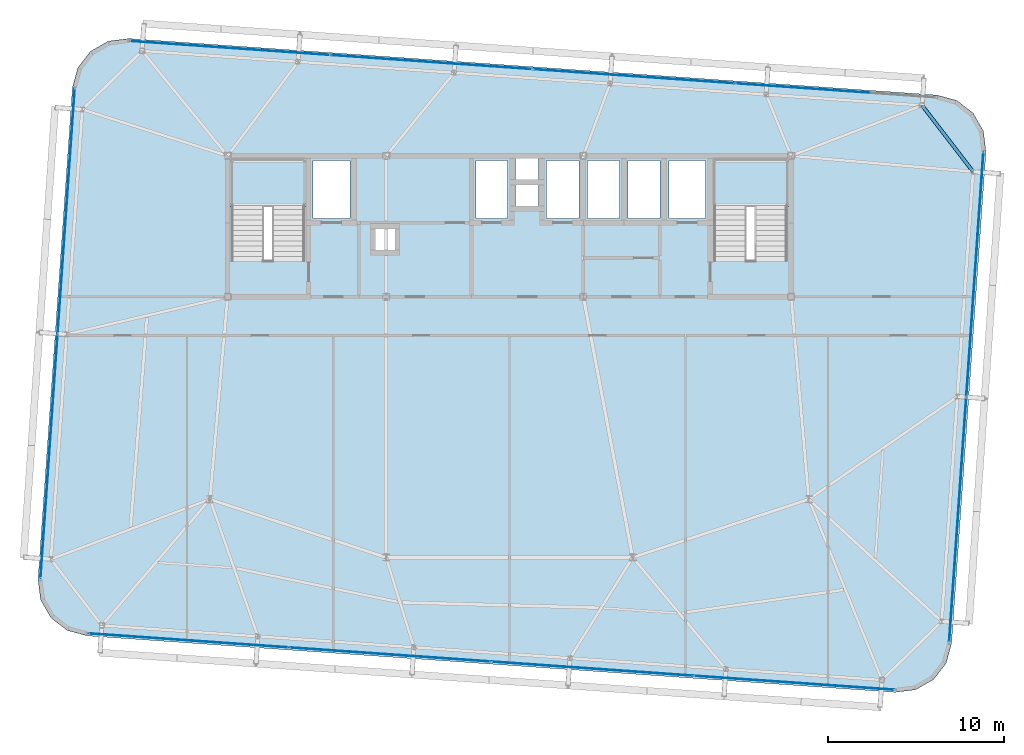
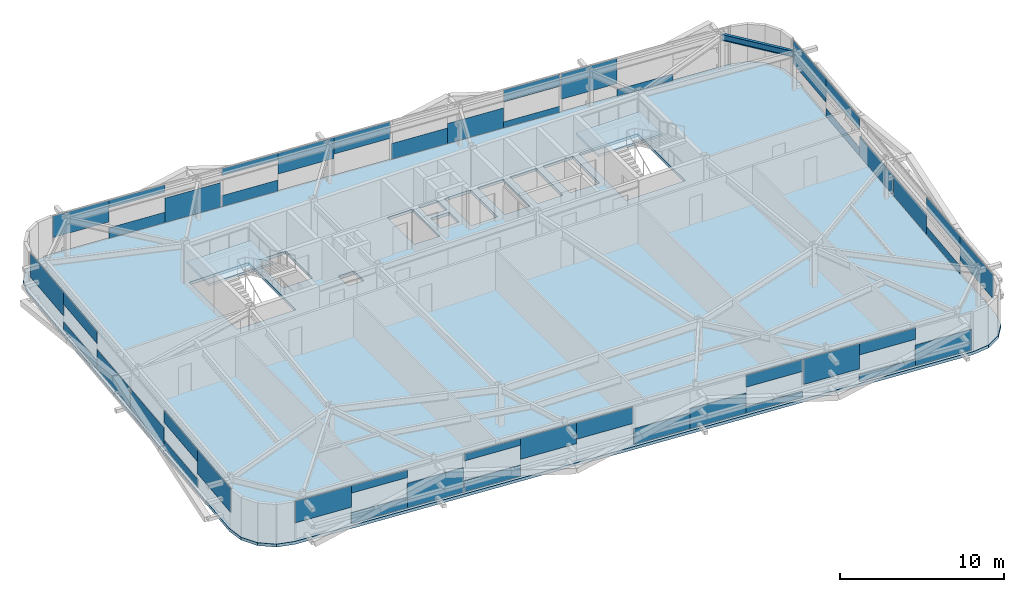
# One storey, part 25 of 39: 46 plates, 3 slabs, 1 beam, 6 elements without a shape of their own.
"""IFC4 building model written with IfcOpenShell, lengths in metres."""

from ifc_helpers import new_model, si_unit, direction, frame, origin, origin_2d, place, context, subcontext, project, spatial, polyline, rectangle, i_section, outline, extrude, source, transform, mapped, material, layer, layer_set, material_profile, profile_set, type_object, element, aggregate, save


model = new_model("IFC4")

# Units and contexts
model_context = context("Model", 3, precision=1e-05, world=origin(), true_north=direction((0.0, 1.0)))
body_context = subcontext(model_context, "Body", "Model", "MODEL_VIEW")
ifc_project = project(units=[si_unit("LENGTHUNIT", "METRE"), si_unit("AREAUNIT", "SQUARE_METRE"), si_unit("VOLUMEUNIT", "CUBIC_METRE"), si_unit("PLANEANGLEUNIT", "RADIAN"), si_unit("MASSUNIT", "GRAM", prefix="KILO")], contexts=[model_context])

# Site, building, storey
site_placement = place(None, origin())
site = spatial("IfcSite", under=ifc_project, at=site_placement, CompositionType="ELEMENT")
building_placement = place(site_placement, origin())
building = spatial("IfcBuilding", under=site, at=building_placement, Name="Taldren Reach Tower", CompositionType="ELEMENT")
storey_placement = place(building_placement, frame((0.0, 0.0, 145.60009765625)))
storey = spatial("IfcBuildingStorey", under=building, at=storey_placement, Name="L44", CompositionType="ELEMENT", Elevation=145.60009765625)

# Beam
ifc_material_1 = material(Name="Steel Gr 350 (350PLUS)", Category="steel")
ifc_material_profile = material_profile(ifc_material_1, i_section(OverallWidth=0.18994140625, OverallDepth=0.4541015625, WebThickness=0.008544921875, FlangeThickness=0.0126953125, at=origin_2d()), Name="460UB67.1")
ifc_profile_set = profile_set([ifc_material_profile], Name="Steel Gr 350 (350PLUS)")
beam_type = type_object("IfcBeamType", Name="SP-UB460B", PredefinedType="SPANDREL", material=ifc_profile_set)
shared_shape_1 = source(origin(), body_context, "Body", "SweptSolid", [
    extrude(i_section(OverallWidth=0.18994140625, OverallDepth=0.4541015625, WebThickness=0.008544921875, FlangeThickness=0.0126953125, at=origin_2d()), origin(), (0.0, 0.0, 1.0), 4.745849609375),
])
beam_placement = place(storey_placement, frame((61.3310546875, 31.1005859375, 2.702880859375), z_axis=(-0.609904656723, 0.792474800677, 0.0), x_axis=(-0.792474800677, -0.609904656723, 0.0)))
element("IfcBeam", 1, at=beam_placement, inside=storey, type_object=beam_type, Name="Perimeter spandrel B3 E3-N6 L44", PredefinedType="SPANDREL", context=body_context, shape_type="MappedRepresentation", body=[
    mapped(shared_shape_1, transform((0.0, 0.0, 0.0), scale=1.0)),
])

# Slab
ifc_material_2 = material(Name="Concrete N40 (40 MPa)", Category="concrete")
ifc_layer_1 = layer(ifc_material_2, 0.219970703125)
ifc_layer_set_1 = layer_set([ifc_layer_1], Name="Concrete N40 (40 MPa)")
slab_type_1 = type_object("IfcSlabType", Name="SL-FLR-220", PredefinedType="FLOOR", material=ifc_layer_set_1)
slab_1_placement = place(storey_placement, frame((0.0, 0.0, -0.22021484375)))
element("IfcSlab", 2, at=slab_1_placement, inside=storey, type_object=slab_type_1, Name="Suspended floor slab L44", PredefinedType="FLOOR", context=body_context, shape_type="SweptSolid", body=[
    extrude(outline(polyline([(56.908203125, 1.537109375), (58.0693359375, 1.684814453125), (59.08544921875, 2.265625), (59.80224609375, 3.191162109375), (60.110107421875, 4.320556640625), (62.063232421875, 32.252197265625), (61.91552734375, 33.413330078125), (61.334716796875, 34.4296875), (60.4091796875, 35.146240234375), (59.27978515625, 35.4541015625), (13.391845703125, 38.6630859375), (12.230712890625, 38.515380859375), (11.21435546875, 37.934326171875), (10.497802734375, 37.0087890625), (10.18994140625, 35.879638671875), (8.23681640625, 7.94775390625), (8.384521484375, 6.78662109375), (8.96533203125, 5.770263671875), (9.890869140625, 5.0537109375), (11.020263671875, 4.745849609375), (56.908203125, 1.537109375)]), holes=[polyline([(19.219970703125, 26.050048828125), (23.3798828125, 26.050048828125), (23.3798828125, 31.820068359375), (19.219970703125, 31.820068359375), (19.219970703125, 26.050048828125)]), polyline([(46.6201171875, 26.050048828125), (50.780029296875, 26.050048828125), (50.780029296875, 31.820068359375), (46.6201171875, 31.820068359375), (46.6201171875, 26.050048828125)]), polyline([(23.85009765625, 28.449951171875), (25.949951171875, 28.449951171875), (25.949951171875, 31.75), (23.85009765625, 31.75), (23.85009765625, 28.449951171875)]), polyline([(44.050048828125, 28.449951171875), (46.14990234375, 28.449951171875), (46.14990234375, 31.75), (44.050048828125, 31.75), (44.050048828125, 28.449951171875)]), polyline([(33.10009765625, 28.449951171875), (34.89990234375, 28.449951171875), (34.89990234375, 31.75), (33.10009765625, 31.75), (33.10009765625, 28.449951171875)]), polyline([(37.10009765625, 28.449951171875), (38.949951171875, 28.449951171875), (38.949951171875, 31.75), (37.10009765625, 31.75), (37.10009765625, 28.449951171875)]), polyline([(39.449951171875, 28.449951171875), (41.25, 28.449951171875), (41.25, 31.75), (39.449951171875, 31.75), (39.449951171875, 28.449951171875)]), polyline([(41.75, 28.449951171875), (43.550048828125, 28.449951171875), (43.550048828125, 31.75), (41.75, 31.75), (41.75, 28.449951171875)]), polyline([(35.35009765625, 30.64990234375), (36.64990234375, 30.64990234375), (36.64990234375, 31.85009765625), (35.35009765625, 31.85009765625), (35.35009765625, 30.64990234375)]), polyline([(35.35009765625, 29.14990234375), (36.64990234375, 29.14990234375), (36.64990234375, 30.35009765625), (35.35009765625, 30.35009765625), (35.35009765625, 29.14990234375)]), polyline([(27.39990234375, 26.64990234375), (28.5, 26.64990234375), (28.5, 27.85009765625), (27.39990234375, 27.85009765625), (27.39990234375, 26.64990234375)])]), origin(), (0.0, 0.0, 1.0), 0.22021484375),
])

# Stair, slab
ifc_material_3 = material(Name="Concrete S50 (50 MPa)", Category="concrete")
stair_type = type_object("IfcStairType", Name="ST-HT-315", PredefinedType="HALF_TURN_STAIR", material=ifc_material_3)
stair_1_placement = place(storey_placement, origin())
stair_1 = element("IfcStair", 3, at=stair_1_placement, inside=storey, type_object=stair_type, Name="Fire-isolated exit stair ST1 L44", PredefinedType="HALF_TURN_STAIR")
ifc_layer_2 = layer(ifc_material_3, 0.179931640625)
ifc_layer_set_2 = layer_set([ifc_layer_2], Name="Concrete S50 (50 MPa)")
slab_type_2 = type_object("IfcSlabType", Name="SL-LAND-180", PredefinedType="LANDING", material=ifc_layer_set_2)
slab_2_placement = place(storey_placement, frame((0.0, 0.0, 1.39501953125)))
slab_2 = element("IfcSlab", 4, at=slab_2_placement, type_object=slab_type_2, Name="ST1 landing 1", PredefinedType="LANDING", context=body_context, shape_type="SweptSolid", body=[
    extrude(outline(polyline([(19.0400390625, 29.135009765625), (23.56005859375, 29.135009765625), (23.56005859375, 31.8701171875), (19.0400390625, 31.8701171875), (19.0400390625, 29.135009765625)])), origin(), (0.0, 0.0, 1.0), 0.179931640625),
])
aggregate(stair_1, [slab_2])

stair_2_placement = place(storey_placement, origin())
stair_2 = element("IfcStair", 5, at=stair_2_placement, inside=storey, type_object=stair_type, Name="Fire-isolated exit stair ST2 L44", PredefinedType="HALF_TURN_STAIR")
slab_3_placement = place(storey_placement, frame((0.0, 0.0, 1.39501953125)))
slab_3 = element("IfcSlab", 6, at=slab_3_placement, type_object=slab_type_2, Name="ST2 landing 1", PredefinedType="LANDING", context=body_context, shape_type="SweptSolid", body=[
    extrude(outline(polyline([(46.43994140625, 29.135009765625), (50.9599609375, 29.135009765625), (50.9599609375, 31.8701171875), (46.43994140625, 31.8701171875), (46.43994140625, 29.135009765625)])), origin(), (0.0, 0.0, 1.0), 0.179931640625),
])
aggregate(stair_2, [slab_3])

# Curtain wall, plate
ifc_material_4 = material(Name="Aluminium and Low-E Glass Unitised System", Category="aluminium")
ifc_layer_3 = layer(ifc_material_4, 0.159912109375)
ifc_layer_set_3 = layer_set([ifc_layer_3], Name="Aluminium and Low-E Glass Unitised System")
curtain_wall_type = type_object("IfcCurtainWallType", Name="CW-SYS-4", PredefinedType="NOTDEFINED", material=ifc_layer_set_3)
curtain_wall_1_placement = place(storey_placement, origin())
curtain_wall_1 = element("IfcCurtainWall", 7, at=curtain_wall_1_placement, inside=storey, type_object=curtain_wall_type, Name="Unitised curtain wall CW-L44-S", PredefinedType="NOTDEFINED")
ifc_material_5 = material(Name="Solar-Control Double Glazed IGU", Category="glass")
ifc_layer_4 = layer(ifc_material_5, 0.031982421875)
ifc_layer_set_4 = layer_set([ifc_layer_4], Name="Solar-Control Double Glazed IGU")
plate_type = type_object("IfcPlateType", Name="CW-PNL-IGU32", PredefinedType="CURTAIN_PANEL", material=ifc_layer_set_4)
shared_shape_2 = source(origin(), body_context, "Body", "SweptSolid", [
    extrude(rectangle(XDim=3.79833984375, YDim=0.031982421875, at=origin_2d()), origin(), (0.0, 0.0, 1.0), 1.597900390625),
])
plate_1_placement = place(storey_placement, frame((12.994384765625, 4.748046875, 1.27685546875), z_axis=(0.0, 0.0, 1.0), x_axis=(0.99756404731, -0.06975651593, 0.0)))
plate_1 = element("IfcPlate", 8, at=plate_1_placement, type_object=plate_type, Name="CW-4 panel 1.1 part 1", PredefinedType="CURTAIN_PANEL", context=body_context, shape_type="MappedRepresentation", body=[
    mapped(shared_shape_2, transform((0.0, 0.0, 0.0), scale=1.0)),
])

curtain_wall_2_placement = place(storey_placement, origin())
curtain_wall_2 = element("IfcCurtainWall", 9, at=curtain_wall_2_placement, inside=storey, type_object=curtain_wall_type, Name="Unitised curtain wall CW-L44-N", PredefinedType="NOTDEFINED")
plate_2_placement = place(storey_placement, frame((15.346435546875, 38.385986328125, 1.27685546875), z_axis=(0.0, 0.0, 1.0), x_axis=(-0.99756404731, 0.06975651593, 0.0)))
plate_2 = element("IfcPlate", 10, at=plate_2_placement, type_object=plate_type, Name="CW-4 panel 4.1 part 4", PredefinedType="CURTAIN_PANEL", context=body_context, shape_type="MappedRepresentation", body=[
    mapped(shared_shape_2, transform((0.0, 0.0, 0.0), scale=1.0)),
])

# Plate
shared_shape_3 = source(origin(), body_context, "Body", "SweptSolid", [
    extrude(rectangle(XDim=3.79833984375, YDim=0.031982421875, at=origin_2d()), origin(), (0.0, 0.0, 1.0), 0.787109375),
])
plate_3_placement = place(storey_placement, frame((16.783447265625, 4.483154296875, 0.054931640625), z_axis=(0.0, 0.0, 1.0), x_axis=(0.99756404731, -0.06975651593, 0.0)))
plate_3 = element("IfcPlate", 11, at=plate_3_placement, type_object=plate_type, Name="CW-4 panel 1.1 part 2", PredefinedType="CURTAIN_PANEL", context=body_context, shape_type="MappedRepresentation", body=[
    mapped(shared_shape_3, transform((0.0, 0.0, 0.0), scale=1.0)),
])

plate_4_placement = place(storey_placement, frame((19.135498046875, 38.12109375, 0.054931640625), z_axis=(0.0, 0.0, 1.0), x_axis=(-0.99756404731, 0.06975651593, 0.0)))
plate_4 = element("IfcPlate", 12, at=plate_4_placement, type_object=plate_type, Name="CW-4 panel 4.1 part 2", PredefinedType="CURTAIN_PANEL", context=body_context, shape_type="MappedRepresentation", body=[
    mapped(shared_shape_3, transform((0.0, 0.0, 0.0), scale=1.0)),
])

shared_shape_4 = source(origin(), body_context, "Body", "SweptSolid", [
    extrude(rectangle(XDim=3.79833984375, YDim=0.031982421875, at=origin_2d()), origin(), (0.0, 0.0, 1.0), 0.558349609375),
])
plate_5_placement = place(storey_placement, frame((16.783447265625, 4.483154296875, 2.31640625), z_axis=(0.0, 0.0, 1.0), x_axis=(0.99756404731, -0.06975651593, 0.0)))
plate_5 = element("IfcPlate", 13, at=plate_5_placement, type_object=plate_type, Name="CW-4 panel 1.1 part 3", PredefinedType="CURTAIN_PANEL", context=body_context, shape_type="MappedRepresentation", body=[
    mapped(shared_shape_4, transform((0.0, 0.0, 0.0), scale=1.0)),
])

plate_6_placement = place(storey_placement, frame((19.135498046875, 38.12109375, 2.31640625), z_axis=(0.0, 0.0, 1.0), x_axis=(-0.99756404731, 0.06975651593, 0.0)))
plate_6 = element("IfcPlate", 14, at=plate_6_placement, type_object=plate_type, Name="CW-4 panel 4.1 part 3", PredefinedType="CURTAIN_PANEL", context=body_context, shape_type="MappedRepresentation", body=[
    mapped(shared_shape_4, transform((0.0, 0.0, 0.0), scale=1.0)),
])

shared_shape_5 = source(origin(), body_context, "Body", "SweptSolid", [
    extrude(rectangle(XDim=3.79833984375, YDim=0.031982421875, at=origin_2d()), origin(), (0.0, 0.0, 1.0), 1.826416015625),
])
plate_7_placement = place(storey_placement, frame((20.572509765625, 4.21826171875, 0.05517578125), z_axis=(0.0, 0.0, 1.0), x_axis=(0.99756404731, -0.06975651593, 0.0)))
plate_7 = element("IfcPlate", 15, at=plate_7_placement, type_object=plate_type, Name="CW-4 panel 1.1 part 4", PredefinedType="CURTAIN_PANEL", context=body_context, shape_type="MappedRepresentation", body=[
    mapped(shared_shape_5, transform((0.0, 0.0, 0.0), scale=1.0)),
])

plate_8_placement = place(storey_placement, frame((22.924560546875, 37.85595703125, 0.05517578125), z_axis=(0.0, 0.0, 1.0), x_axis=(-0.99756404731, 0.06975651593, 0.0)))
plate_8 = element("IfcPlate", 16, at=plate_8_placement, type_object=plate_type, Name="CW-4 panel 4.1 part 1", PredefinedType="CURTAIN_PANEL", context=body_context, shape_type="MappedRepresentation", body=[
    mapped(shared_shape_5, transform((0.0, 0.0, 0.0), scale=1.0)),
])

shared_shape_6 = source(origin(), body_context, "Body", "SweptSolid", [
    extrude(rectangle(XDim=3.81005859375, YDim=0.031982421875, at=origin_2d()), origin(), (0.0, 0.0, 1.0), 0.8271484375),
])
plate_9_placement = place(storey_placement, frame((24.437255859375, 3.947998046875, 0.054931640625), z_axis=(0.0, 0.0, 1.0), x_axis=(0.99756404731, -0.06975651593, 0.0)))
plate_9 = element("IfcPlate", 17, at=plate_9_placement, type_object=plate_type, Name="CW-4 panel 2.1 part 1", PredefinedType="CURTAIN_PANEL", context=body_context, shape_type="MappedRepresentation", body=[
    mapped(shared_shape_6, transform((0.0, 0.0, 0.0), scale=1.0)),
])

plate_10_placement = place(storey_placement, frame((26.789306640625, 37.585693359375, 0.054931640625), z_axis=(0.0, 0.0, 1.0), x_axis=(-0.99756404731, 0.06975651593, 0.0)))
plate_10 = element("IfcPlate", 18, at=plate_10_placement, type_object=plate_type, Name="CW-4 panel 3.1 part 3", PredefinedType="CURTAIN_PANEL", context=body_context, shape_type="MappedRepresentation", body=[
    mapped(shared_shape_6, transform((0.0, 0.0, 0.0), scale=1.0)),
])

shared_shape_7 = source(origin(), body_context, "Body", "SweptSolid", [
    extrude(rectangle(XDim=3.81005859375, YDim=0.031982421875, at=origin_2d()), origin(), (0.0, 0.0, 1.0), 0.51513671875),
])
plate_11_placement = place(storey_placement, frame((24.437255859375, 3.947998046875, 2.35986328125), z_axis=(0.0, 0.0, 1.0), x_axis=(0.99756404731, -0.06975651593, 0.0)))
plate_11 = element("IfcPlate", 19, at=plate_11_placement, type_object=plate_type, Name="CW-4 panel 2.1 part 2", PredefinedType="CURTAIN_PANEL", context=body_context, shape_type="MappedRepresentation", body=[
    mapped(shared_shape_7, transform((0.0, 0.0, 0.0), scale=1.0)),
])

plate_12_placement = place(storey_placement, frame((26.789306640625, 37.585693359375, 2.35986328125), z_axis=(0.0, 0.0, 1.0), x_axis=(-0.99756404731, 0.06975651593, 0.0)))
plate_12 = element("IfcPlate", 20, at=plate_12_placement, type_object=plate_type, Name="CW-4 panel 3.1 part 4", PredefinedType="CURTAIN_PANEL", context=body_context, shape_type="MappedRepresentation", body=[
    mapped(shared_shape_7, transform((0.0, 0.0, 0.0), scale=1.0)),
])

shared_shape_8 = source(origin(), body_context, "Body", "SweptSolid", [
    extrude(rectangle(XDim=3.81005859375, YDim=0.031982421875, at=origin_2d()), origin(), (0.0, 0.0, 1.0), 1.5576171875),
])
plate_13_placement = place(storey_placement, frame((28.23779296875, 3.68212890625, 1.317138671875), z_axis=(0.0, 0.0, 1.0), x_axis=(0.99756404731, -0.06975651593, 0.0)))
plate_13 = element("IfcPlate", 21, at=plate_13_placement, type_object=plate_type, Name="CW-4 panel 2.1 part 3", PredefinedType="CURTAIN_PANEL", context=body_context, shape_type="MappedRepresentation", body=[
    mapped(shared_shape_8, transform((0.0, 0.0, 0.0), scale=1.0)),
])

plate_14_placement = place(storey_placement, frame((30.590087890625, 37.320068359375, 1.317138671875), z_axis=(0.0, 0.0, 1.0), x_axis=(-0.99756404731, 0.06975651593, 0.0)))
plate_14 = element("IfcPlate", 22, at=plate_14_placement, type_object=plate_type, Name="CW-4 panel 3.1 part 2", PredefinedType="CURTAIN_PANEL", context=body_context, shape_type="MappedRepresentation", body=[
    mapped(shared_shape_8, transform((0.0, 0.0, 0.0), scale=1.0)),
])

shared_shape_9 = source(origin(), body_context, "Body", "SweptSolid", [
    extrude(rectangle(XDim=3.81005859375, YDim=0.031982421875, at=origin_2d()), origin(), (0.0, 0.0, 1.0), 1.23193359375),
])
plate_15_placement = place(storey_placement, frame((32.03857421875, 3.41650390625, 1.642822265625), z_axis=(0.0, 0.0, 1.0), x_axis=(0.99756404731, -0.06975651593, 0.0)))
plate_15 = element("IfcPlate", 23, at=plate_15_placement, type_object=plate_type, Name="CW-4 panel 2.1 part 4", PredefinedType="CURTAIN_PANEL", context=body_context, shape_type="MappedRepresentation", body=[
    mapped(shared_shape_9, transform((0.0, 0.0, 0.0), scale=1.0)),
])

plate_16_placement = place(storey_placement, frame((34.390869140625, 37.05419921875, 1.642822265625), z_axis=(0.0, 0.0, 1.0), x_axis=(-0.99756404731, 0.06975651593, 0.0)))
plate_16 = element("IfcPlate", 24, at=plate_16_placement, type_object=plate_type, Name="CW-4 panel 3.1 part 1", PredefinedType="CURTAIN_PANEL", context=body_context, shape_type="MappedRepresentation", body=[
    mapped(shared_shape_9, transform((0.0, 0.0, 0.0), scale=1.0)),
])

shared_shape_10 = source(origin(), body_context, "Body", "SweptSolid", [
    extrude(rectangle(XDim=3.81005859375, YDim=0.031982421875, at=origin_2d()), origin(), (0.0, 0.0, 1.0), 1.172119140625),
])
plate_17_placement = place(storey_placement, frame((35.9091796875, 3.145751953125, 0.0546875), z_axis=(0.0, 0.0, 1.0), x_axis=(0.99756404731, -0.06975651593, 0.0)))
plate_17 = element("IfcPlate", 25, at=plate_17_placement, type_object=plate_type, Name="CW-4 panel 3.1 part 1", PredefinedType="CURTAIN_PANEL", context=body_context, shape_type="MappedRepresentation", body=[
    mapped(shared_shape_10, transform((0.0, 0.0, 0.0), scale=1.0)),
])

plate_18_placement = place(storey_placement, frame((38.261474609375, 36.78369140625, 0.0546875), z_axis=(0.0, 0.0, 1.0), x_axis=(-0.99756404731, 0.06975651593, 0.0)))
plate_18 = element("IfcPlate", 26, at=plate_18_placement, type_object=plate_type, Name="CW-4 panel 2.1 part 4", PredefinedType="CURTAIN_PANEL", context=body_context, shape_type="MappedRepresentation", body=[
    mapped(shared_shape_10, transform((0.0, 0.0, 0.0), scale=1.0)),
])

shared_shape_11 = source(origin(), body_context, "Body", "SweptSolid", [
    extrude(rectangle(XDim=3.81005859375, YDim=0.031982421875, at=origin_2d()), origin(), (0.0, 0.0, 1.0), 1.497802734375),
])
plate_19_placement = place(storey_placement, frame((39.7099609375, 2.8798828125, 0.0546875), z_axis=(0.0, 0.0, 1.0), x_axis=(0.99756404731, -0.06975651593, 0.0)))
plate_19 = element("IfcPlate", 27, at=plate_19_placement, type_object=plate_type, Name="CW-4 panel 3.1 part 2", PredefinedType="CURTAIN_PANEL", context=body_context, shape_type="MappedRepresentation", body=[
    mapped(shared_shape_11, transform((0.0, 0.0, 0.0), scale=1.0)),
])

plate_20_placement = place(storey_placement, frame((42.06201171875, 36.517822265625, 0.0546875), z_axis=(0.0, 0.0, 1.0), x_axis=(-0.99756404731, 0.06975651593, 0.0)))
plate_20 = element("IfcPlate", 28, at=plate_20_placement, type_object=plate_type, Name="CW-4 panel 2.1 part 3", PredefinedType="CURTAIN_PANEL", context=body_context, shape_type="MappedRepresentation", body=[
    mapped(shared_shape_11, transform((0.0, 0.0, 0.0), scale=1.0)),
])

shared_shape_12 = source(origin(), body_context, "Body", "SweptSolid", [
    extrude(rectangle(XDim=3.81005859375, YDim=0.031982421875, at=origin_2d()), origin(), (0.0, 0.0, 1.0), 0.455078125),
])
plate_21_placement = place(storey_placement, frame((43.510498046875, 2.6142578125, 0.054931640625), z_axis=(0.0, 0.0, 1.0), x_axis=(0.99756404731, -0.06975651593, 0.0)))
plate_21 = element("IfcPlate", 29, at=plate_21_placement, type_object=plate_type, Name="CW-4 panel 3.1 part 3", PredefinedType="CURTAIN_PANEL", context=body_context, shape_type="MappedRepresentation", body=[
    mapped(shared_shape_12, transform((0.0, 0.0, 0.0), scale=1.0)),
])

plate_22_placement = place(storey_placement, frame((45.86279296875, 36.251953125, 0.054931640625), z_axis=(0.0, 0.0, 1.0), x_axis=(-0.99756404731, 0.06975651593, 0.0)))
plate_22 = element("IfcPlate", 30, at=plate_22_placement, type_object=plate_type, Name="CW-4 panel 2.1 part 1", PredefinedType="CURTAIN_PANEL", context=body_context, shape_type="MappedRepresentation", body=[
    mapped(shared_shape_12, transform((0.0, 0.0, 0.0), scale=1.0)),
])

shared_shape_13 = source(origin(), body_context, "Body", "SweptSolid", [
    extrude(rectangle(XDim=3.81005859375, YDim=0.031982421875, at=origin_2d()), origin(), (0.0, 0.0, 1.0), 0.88720703125),
])
plate_23_placement = place(storey_placement, frame((43.510498046875, 2.6142578125, 1.98779296875), z_axis=(0.0, 0.0, 1.0), x_axis=(0.99756404731, -0.06975651593, 0.0)))
plate_23 = element("IfcPlate", 31, at=plate_23_placement, type_object=plate_type, Name="CW-4 panel 3.1 part 4", PredefinedType="CURTAIN_PANEL", context=body_context, shape_type="MappedRepresentation", body=[
    mapped(shared_shape_13, transform((0.0, 0.0, 0.0), scale=1.0)),
])

plate_24_placement = place(storey_placement, frame((45.86279296875, 36.251953125, 1.98779296875), z_axis=(0.0, 0.0, 1.0), x_axis=(-0.99756404731, 0.06975651593, 0.0)))
plate_24 = element("IfcPlate", 32, at=plate_24_placement, type_object=plate_type, Name="CW-4 panel 2.1 part 2", PredefinedType="CURTAIN_PANEL", context=body_context, shape_type="MappedRepresentation", body=[
    mapped(shared_shape_13, transform((0.0, 0.0, 0.0), scale=1.0)),
])

shared_shape_14 = source(origin(), body_context, "Body", "SweptSolid", [
    extrude(rectangle(XDim=3.79833984375, YDim=0.031982421875, at=origin_2d()), origin(), (0.0, 0.0, 1.0), 1.886474609375),
])
plate_25_placement = place(storey_placement, frame((47.375244140625, 2.343994140625, 0.98828125), z_axis=(0.0, 0.0, 1.0), x_axis=(0.99756404731, -0.06975651593, 0.0)))
plate_25 = element("IfcPlate", 33, at=plate_25_placement, type_object=plate_type, Name="CW-4 panel 4.1 part 1", PredefinedType="CURTAIN_PANEL", context=body_context, shape_type="MappedRepresentation", body=[
    mapped(shared_shape_14, transform((0.0, 0.0, 0.0), scale=1.0)),
])

plate_26_placement = place(storey_placement, frame((49.7275390625, 35.981689453125, 0.98828125), z_axis=(0.0, 0.0, 1.0), x_axis=(-0.99756404731, 0.06975651593, 0.0)))
plate_26 = element("IfcPlate", 34, at=plate_26_placement, type_object=plate_type, Name="CW-4 panel 1.1 part 4", PredefinedType="CURTAIN_PANEL", context=body_context, shape_type="MappedRepresentation", body=[
    mapped(shared_shape_14, transform((0.0, 0.0, 0.0), scale=1.0)),
])

shared_shape_15 = source(origin(), body_context, "Body", "SweptSolid", [
    extrude(rectangle(XDim=3.79833984375, YDim=0.031982421875, at=origin_2d()), origin(), (0.0, 0.0, 1.0), 0.498291015625),
])
plate_27_placement = place(storey_placement, frame((51.16455078125, 2.0791015625, 0.05517578125), z_axis=(0.0, 0.0, 1.0), x_axis=(0.99756404731, -0.06975651593, 0.0)))
plate_27 = element("IfcPlate", 35, at=plate_27_placement, type_object=plate_type, Name="CW-4 panel 4.1 part 2", PredefinedType="CURTAIN_PANEL", context=body_context, shape_type="MappedRepresentation", body=[
    mapped(shared_shape_15, transform((0.0, 0.0, 0.0), scale=1.0)),
])

plate_28_placement = place(storey_placement, frame((53.5166015625, 35.716796875, 0.05517578125), z_axis=(0.0, 0.0, 1.0), x_axis=(-0.99756404731, 0.06975651593, 0.0)))
plate_28 = element("IfcPlate", 36, at=plate_28_placement, type_object=plate_type, Name="CW-4 panel 1.1 part 2", PredefinedType="CURTAIN_PANEL", context=body_context, shape_type="MappedRepresentation", body=[
    mapped(shared_shape_15, transform((0.0, 0.0, 0.0), scale=1.0)),
])

aggregate(curtain_wall_2, [plate_28, plate_26, plate_22, plate_24, plate_20, plate_18, plate_16, plate_14, plate_10, plate_12, plate_8, plate_4, plate_6, plate_2])

shared_shape_16 = source(origin(), body_context, "Body", "SweptSolid", [
    extrude(rectangle(XDim=3.79833984375, YDim=0.031982421875, at=origin_2d()), origin(), (0.0, 0.0, 1.0), 0.84716796875),
])
plate_29_placement = place(storey_placement, frame((51.16455078125, 2.0791015625, 2.02783203125), z_axis=(0.0, 0.0, 1.0), x_axis=(0.99756404731, -0.06975651593, 0.0)))
plate_29 = element("IfcPlate", 37, at=plate_29_placement, type_object=plate_type, Name="CW-4 panel 4.1 part 3", PredefinedType="CURTAIN_PANEL", context=body_context, shape_type="MappedRepresentation", body=[
    mapped(shared_shape_16, transform((0.0, 0.0, 0.0), scale=1.0)),
])

shared_shape_17 = source(origin(), body_context, "Body", "SweptSolid", [
    extrude(rectangle(XDim=3.79833984375, YDim=0.031982421875, at=origin_2d()), origin(), (0.0, 0.0, 1.0), 1.537841796875),
])
plate_30_placement = place(storey_placement, frame((54.95361328125, 1.81396484375, 0.0546875), z_axis=(0.0, 0.0, 1.0), x_axis=(0.99756404731, -0.06975651593, 0.0)))
plate_30 = element("IfcPlate", 38, at=plate_30_placement, type_object=plate_type, Name="CW-4 panel 4.1 part 4", PredefinedType="CURTAIN_PANEL", context=body_context, shape_type="MappedRepresentation", body=[
    mapped(shared_shape_17, transform((0.0, 0.0, 0.0), scale=1.0)),
])

aggregate(curtain_wall_1, [plate_1, plate_3, plate_5, plate_7, plate_9, plate_11, plate_13, plate_15, plate_17, plate_19, plate_21, plate_23, plate_25, plate_27, plate_29, plate_30])

# Curtain wall, plates
curtain_wall_3_placement = place(storey_placement, origin())
curtain_wall_3 = element("IfcCurtainWall", 39, at=curtain_wall_3_placement, inside=storey, type_object=curtain_wall_type, Name="Unitised curtain wall CW-L44-W", PredefinedType="NOTDEFINED")
shared_shape_18 = source(origin(), body_context, "Body", "SweptSolid", [
    extrude(rectangle(XDim=4.631591796875, YDim=0.031982421875, at=origin_2d()), origin(), (0.0, 0.0, 1.0), 1.776611328125),
])
plate_31_placement = place(storey_placement, frame((10.1630859375, 33.48974609375, 1.09814453125), z_axis=(0.0, 0.0, 1.0), x_axis=(-0.069756437251, -0.997564052812, 0.0)))
plate_31 = element("IfcPlate", 40, at=plate_31_placement, type_object=plate_type, Name="CW-4 panel 1.1 part 1", PredefinedType="CURTAIN_PANEL", context=body_context, shape_type="MappedRepresentation", body=[
    mapped(shared_shape_18, transform((0.0, 0.0, 0.0), scale=1.0)),
])
plate_32_placement = place(storey_placement, frame((8.542724609375, 10.318115234375, 1.09814453125), z_axis=(0.0, 0.0, 1.0), x_axis=(-0.069756437251, -0.997564052812, 0.0)))
plate_32 = element("IfcPlate", 41, at=plate_32_placement, type_object=plate_type, Name="CW-4 panel 2.1 part 4", PredefinedType="CURTAIN_PANEL", context=body_context, shape_type="MappedRepresentation", body=[
    mapped(shared_shape_18, transform((0.0, 0.0, 0.0), scale=1.0)),
])

curtain_wall_4_placement = place(storey_placement, origin())
curtain_wall_4 = element("IfcCurtainWall", 42, at=curtain_wall_4_placement, inside=storey, type_object=curtain_wall_type, Name="Unitised curtain wall CW-L44-E", PredefinedType="NOTDEFINED")
plate_33_placement = place(storey_placement, frame((60.136962890625, 6.710205078125, 1.09814453125), z_axis=(0.0, 0.0, 1.0), x_axis=(0.069756437251, 0.997564052812, 0.0)))
plate_33 = element("IfcPlate", 43, at=plate_33_placement, type_object=plate_type, Name="CW-4 panel 1.1 part 1", PredefinedType="CURTAIN_PANEL", context=body_context, shape_type="MappedRepresentation", body=[
    mapped(shared_shape_18, transform((0.0, 0.0, 0.0), scale=1.0)),
])
plate_34_placement = place(storey_placement, frame((61.757080078125, 29.882080078125, 1.09814453125), z_axis=(0.0, 0.0, 1.0), x_axis=(0.069756437251, 0.997564052812, 0.0)))
plate_34 = element("IfcPlate", 44, at=plate_34_placement, type_object=plate_type, Name="CW-4 panel 2.1 part 4", PredefinedType="CURTAIN_PANEL", context=body_context, shape_type="MappedRepresentation", body=[
    mapped(shared_shape_18, transform((0.0, 0.0, 0.0), scale=1.0)),
])

# Plate
shared_shape_19 = source(origin(), body_context, "Body", "SweptSolid", [
    extrude(rectangle(XDim=4.631591796875, YDim=0.031982421875, at=origin_2d()), origin(), (0.0, 0.0, 1.0), 0.6162109375),
])
plate_35_placement = place(storey_placement, frame((9.840087890625, 28.869384765625, 0.054931640625), z_axis=(0.0, 0.0, 1.0), x_axis=(-0.069756437251, -0.997564052812, 0.0)))
plate_35 = element("IfcPlate", 45, at=plate_35_placement, type_object=plate_type, Name="CW-4 panel 1.1 part 2", PredefinedType="CURTAIN_PANEL", context=body_context, shape_type="MappedRepresentation", body=[
    mapped(shared_shape_19, transform((0.0, 0.0, 0.0), scale=1.0)),
])

plate_36_placement = place(storey_placement, frame((8.865966796875, 14.9384765625, 0.054931640625), z_axis=(0.0, 0.0, 1.0), x_axis=(-0.069756437251, -0.997564052812, 0.0)))
plate_36 = element("IfcPlate", 46, at=plate_36_placement, type_object=plate_type, Name="CW-4 panel 2.1 part 2", PredefinedType="CURTAIN_PANEL", context=body_context, shape_type="MappedRepresentation", body=[
    mapped(shared_shape_19, transform((0.0, 0.0, 0.0), scale=1.0)),
])

plate_37_placement = place(storey_placement, frame((60.4599609375, 11.33056640625, 0.054931640625), z_axis=(0.0, 0.0, 1.0), x_axis=(0.069756437251, 0.997564052812, 0.0)))
plate_37 = element("IfcPlate", 47, at=plate_37_placement, type_object=plate_type, Name="CW-4 panel 1.1 part 2", PredefinedType="CURTAIN_PANEL", context=body_context, shape_type="MappedRepresentation", body=[
    mapped(shared_shape_19, transform((0.0, 0.0, 0.0), scale=1.0)),
])

plate_38_placement = place(storey_placement, frame((61.43408203125, 25.261474609375, 0.054931640625), z_axis=(0.0, 0.0, 1.0), x_axis=(0.069756437251, 0.997564052812, 0.0)))
plate_38 = element("IfcPlate", 48, at=plate_38_placement, type_object=plate_type, Name="CW-4 panel 2.1 part 2", PredefinedType="CURTAIN_PANEL", context=body_context, shape_type="MappedRepresentation", body=[
    mapped(shared_shape_19, transform((0.0, 0.0, 0.0), scale=1.0)),
])

shared_shape_20 = source(origin(), body_context, "Body", "SweptSolid", [
    extrude(rectangle(XDim=4.631591796875, YDim=0.031982421875, at=origin_2d()), origin(), (0.0, 0.0, 1.0), 0.897216796875),
])
plate_39_placement = place(storey_placement, frame((9.840087890625, 28.869384765625, 1.9775390625), z_axis=(0.0, 0.0, 1.0), x_axis=(-0.069756437251, -0.997564052812, 0.0)))
plate_39 = element("IfcPlate", 49, at=plate_39_placement, type_object=plate_type, Name="CW-4 panel 1.1 part 3", PredefinedType="CURTAIN_PANEL", context=body_context, shape_type="MappedRepresentation", body=[
    mapped(shared_shape_20, transform((0.0, 0.0, 0.0), scale=1.0)),
])

plate_40_placement = place(storey_placement, frame((8.865966796875, 14.9384765625, 1.9775390625), z_axis=(0.0, 0.0, 1.0), x_axis=(-0.069756437251, -0.997564052812, 0.0)))
plate_40 = element("IfcPlate", 50, at=plate_40_placement, type_object=plate_type, Name="CW-4 panel 2.1 part 3", PredefinedType="CURTAIN_PANEL", context=body_context, shape_type="MappedRepresentation", body=[
    mapped(shared_shape_20, transform((0.0, 0.0, 0.0), scale=1.0)),
])

plate_41_placement = place(storey_placement, frame((60.4599609375, 11.33056640625, 1.9775390625), z_axis=(0.0, 0.0, 1.0), x_axis=(0.069756437251, 0.997564052812, 0.0)))
plate_41 = element("IfcPlate", 51, at=plate_41_placement, type_object=plate_type, Name="CW-4 panel 1.1 part 3", PredefinedType="CURTAIN_PANEL", context=body_context, shape_type="MappedRepresentation", body=[
    mapped(shared_shape_20, transform((0.0, 0.0, 0.0), scale=1.0)),
])

plate_42_placement = place(storey_placement, frame((61.43408203125, 25.261474609375, 1.9775390625), z_axis=(0.0, 0.0, 1.0), x_axis=(0.069756437251, 0.997564052812, 0.0)))
plate_42 = element("IfcPlate", 52, at=plate_42_placement, type_object=plate_type, Name="CW-4 panel 2.1 part 3", PredefinedType="CURTAIN_PANEL", context=body_context, shape_type="MappedRepresentation", body=[
    mapped(shared_shape_20, transform((0.0, 0.0, 0.0), scale=1.0)),
])

shared_shape_21 = source(origin(), body_context, "Body", "SweptSolid", [
    extrude(rectangle(XDim=4.631591796875, YDim=0.031982421875, at=origin_2d()), origin(), (0.0, 0.0, 1.0), 1.495361328125),
])
plate_43_placement = place(storey_placement, frame((9.51708984375, 24.2490234375, 0.0546875), z_axis=(0.0, 0.0, 1.0), x_axis=(-0.069756437251, -0.997564052812, 0.0)))
plate_43 = element("IfcPlate", 53, at=plate_43_placement, type_object=plate_type, Name="CW-4 panel 1.1 part 4", PredefinedType="CURTAIN_PANEL", context=body_context, shape_type="MappedRepresentation", body=[
    mapped(shared_shape_21, transform((0.0, 0.0, 0.0), scale=1.0)),
])

plate_44_placement = place(storey_placement, frame((9.18896484375, 19.558837890625, 0.0546875), z_axis=(0.0, 0.0, 1.0), x_axis=(-0.069756437251, -0.997564052812, 0.0)))
plate_44 = element("IfcPlate", 54, at=plate_44_placement, type_object=plate_type, Name="CW-4 panel 2.1 part 1", PredefinedType="CURTAIN_PANEL", context=body_context, shape_type="MappedRepresentation", body=[
    mapped(shared_shape_21, transform((0.0, 0.0, 0.0), scale=1.0)),
])

aggregate(curtain_wall_3, [plate_31, plate_35, plate_39, plate_43, plate_44, plate_36, plate_40, plate_32])

plate_45_placement = place(storey_placement, frame((60.782958984375, 15.950927734375, 0.0546875), z_axis=(0.0, 0.0, 1.0), x_axis=(0.069756437251, 0.997564052812, 0.0)))
plate_45 = element("IfcPlate", 55, at=plate_45_placement, type_object=plate_type, Name="CW-4 panel 1.1 part 4", PredefinedType="CURTAIN_PANEL", context=body_context, shape_type="MappedRepresentation", body=[
    mapped(shared_shape_21, transform((0.0, 0.0, 0.0), scale=1.0)),
])

plate_46_placement = place(storey_placement, frame((61.111083984375, 20.64111328125, 0.0546875), z_axis=(0.0, 0.0, 1.0), x_axis=(0.069756437251, 0.997564052812, 0.0)))
plate_46 = element("IfcPlate", 56, at=plate_46_placement, type_object=plate_type, Name="CW-4 panel 2.1 part 1", PredefinedType="CURTAIN_PANEL", context=body_context, shape_type="MappedRepresentation", body=[
    mapped(shared_shape_21, transform((0.0, 0.0, 0.0), scale=1.0)),
])

aggregate(curtain_wall_4, [plate_33, plate_37, plate_41, plate_45, plate_46, plate_38, plate_42, plate_34])

save(model, "model.ifc")
